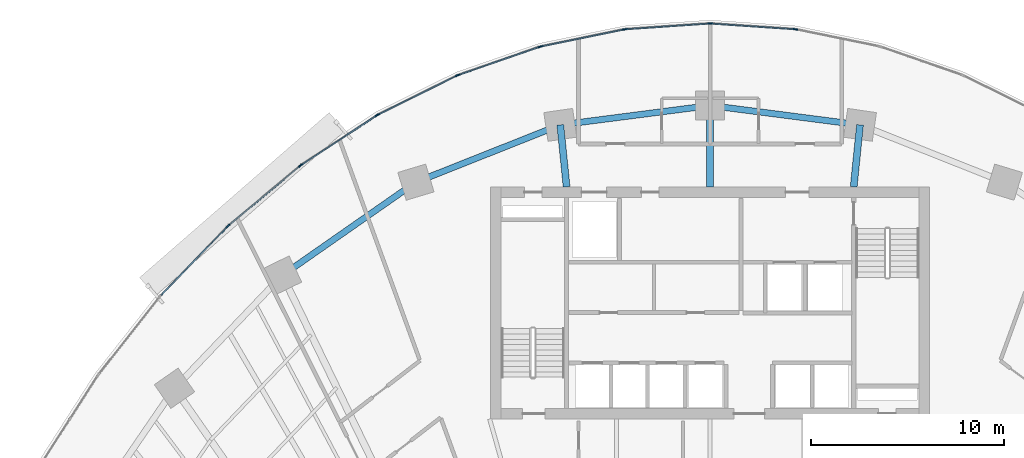
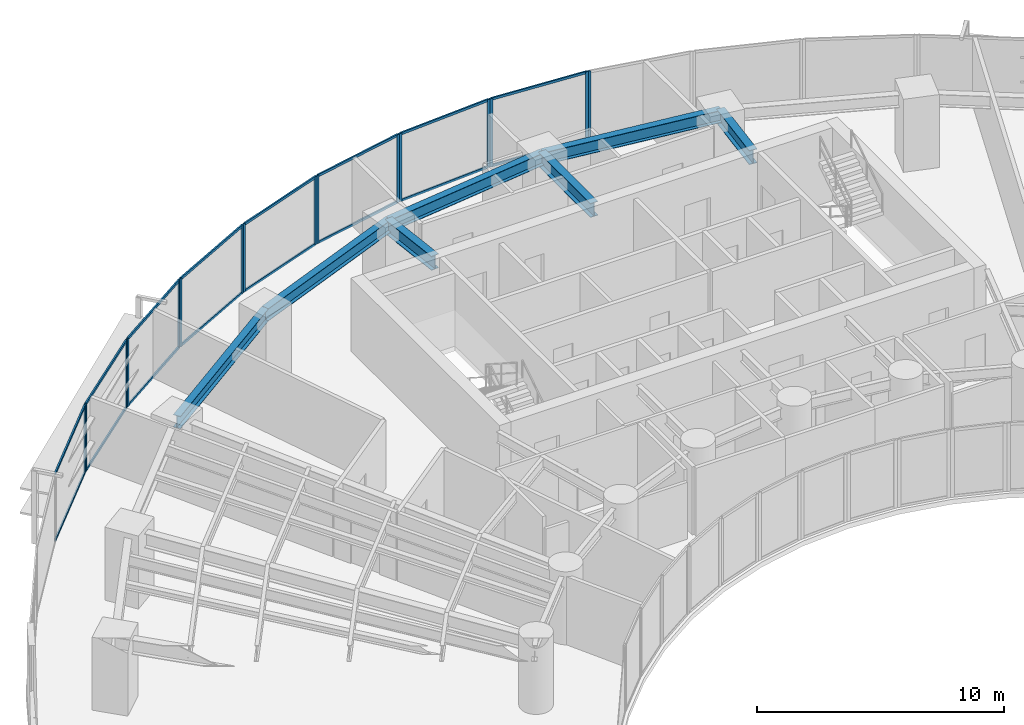
# One storey, part 6 of 17: 32 members, 7 beams, 9 elements without a shape of their own.
"""IFC4 building model written with IfcOpenShell, lengths in metres."""

from ifc_helpers import new_model, si_unit, direction, frame, origin, origin_2d, place, context, subcontext, project, spatial, rectangle, i_section, extrude, source, transform, mapped, material, layer, layer_set, material_profile, profile_set, type_object, type_shapes, element, aggregate, save


model = new_model("IFC4")

# Units and contexts
model_context = context("Model", 3, precision=1e-05, world=origin(), true_north=direction((0.0, 1.0)))
body_context = subcontext(model_context, "Body", "Model", "MODEL_VIEW")
ifc_project = project(units=[si_unit("LENGTHUNIT", "METRE"), si_unit("AREAUNIT", "SQUARE_METRE"), si_unit("VOLUMEUNIT", "CUBIC_METRE"), si_unit("PLANEANGLEUNIT", "RADIAN"), si_unit("MASSUNIT", "GRAM", prefix="KILO")], contexts=[model_context])

# Site, building, storey
site_placement = place(None, origin())
site = spatial("IfcSite", under=ifc_project, at=site_placement, CompositionType="ELEMENT")
building_placement = place(site_placement, origin())
building = spatial("IfcBuilding", under=site, at=building_placement, Name="Breltana Convention Tower", CompositionType="ELEMENT")
storey_placement = place(building_placement, frame((0.0, 0.0, 57.0)))
storey = spatial("IfcBuildingStorey", under=building, at=storey_placement, Name="L12", CompositionType="ELEMENT", Elevation=57.0)

# Beams
ifc_material_1 = material(Name="Steel ASTM A992 Grade 50", Category="steel")
ifc_material_profile_1 = material_profile(ifc_material_1, i_section(OverallWidth=0.323974609375, OverallDepth=0.611083984375, WebThickness=0.0126953125, FlangeThickness=0.01904296875, at=origin_2d()), Name="W24X104")
ifc_profile_set_1 = profile_set([ifc_material_profile_1], Name="Steel ASTM A992 Grade 50")
beam_type_1 = type_object("IfcBeamType", Name="BM-SP-W24X104", PredefinedType="SPANDREL", material=ifc_profile_set_1)
shared_shape_1 = source(origin(), body_context, "Body", "SweptSolid", [
    extrude(i_section(OverallWidth=0.323974609375, OverallDepth=0.611083984375, WebThickness=0.0126953125, FlangeThickness=0.01904296875, at=origin_2d()), origin(), (0.0, 0.0, 1.0), 8.4169921875),
])
beam_1_placement = place(storey_placement, frame((25.8876953125, 67.626953125, 3.054443359375), z_axis=(0.820173800102, 0.572114444519, 0.0), x_axis=(-0.572114444519, 0.820173800102, 0.0)))
element("IfcBeam", 1, at=beam_1_placement, inside=storey, type_object=beam_type_1, Name="L12 Outer Spandrel Beam 03", PredefinedType="SPANDREL", context=body_context, shape_type="MappedRepresentation", body=[
    mapped(shared_shape_1, transform((0.0, 0.0, 0.0), scale=1.0)),
])
shared_shape_2 = source(origin(), body_context, "Body", "SweptSolid", [
    extrude(i_section(OverallWidth=0.323974609375, OverallDepth=0.611083984375, WebThickness=0.0126953125, FlangeThickness=0.01904296875, at=origin_2d()), origin(), (0.0, 0.0, 1.0), 8.028564453125),
])
beam_2_placement = place(storey_placement, frame((32.791015625, 72.4423828125, 3.054443359375), z_axis=(0.929459100394, 0.368925169507, 0.0), x_axis=(-0.368925169507, 0.929459100394, 0.0)))
element("IfcBeam", 2, at=beam_2_placement, inside=storey, type_object=beam_type_1, Name="L12 Outer Spandrel Beam 04", PredefinedType="SPANDREL", context=body_context, shape_type="MappedRepresentation", body=[
    mapped(shared_shape_2, transform((0.0, 0.0, 0.0), scale=1.0)),
])
shared_shape_3 = source(origin(), body_context, "Body", "SweptSolid", [
    extrude(i_section(OverallWidth=0.323974609375, OverallDepth=0.611083984375, WebThickness=0.0126953125, FlangeThickness=0.01904296875, at=origin_2d()), origin(), (0.0, 0.0, 1.0), 7.81103515625),
])
for number, where, z_axis, x_axis, name in (
    (3, (40.253173828125, 75.404296875, 3.054443359375), (0.991775179127, 0.127992164083, 0.0), (-0.127992164083, 0.991775179127, 0.0), "L12 Outer Spandrel Beam 05"),
    (4, (48.0, 76.404052734375, 3.054443359375), (0.991775179127, -0.127992164083, 0.0), (0.127992164083, 0.991775179127, 0.0), "L12 Outer Spandrel Beam 06"),
):
    element("IfcBeam", number, at=place(storey_placement, frame(where, z_axis=z_axis, x_axis=x_axis)), inside=storey, type_object=beam_type_1, Name=name, PredefinedType="SPANDREL", context=body_context, shape_type="MappedRepresentation", body=[
        mapped(shared_shape_3, transform((0.0, 0.0, 0.0), scale=1.0)),
    ])
ifc_material_profile_2 = material_profile(ifc_material_1, i_section(OverallWidth=0.35498046875, OverallDepth=0.696044921875, WebThickness=0.015380859375, FlangeThickness=0.02490234375, at=origin_2d()), Name="W27X146")
ifc_profile_set_2 = profile_set([ifc_material_profile_2], Name="Steel ASTM A992 Grade 50")
beam_type_2 = type_object("IfcBeamType", Name="BM-RG-W27X146", PredefinedType="USERDEFINED", material=ifc_profile_set_2)
shared_shape_4 = source(origin(), body_context, "Body", "SweptSolid", [
    extrude(i_section(OverallWidth=0.35498046875, OverallDepth=0.696044921875, WebThickness=0.015380859375, FlangeThickness=0.02490234375, at=origin_2d()), origin(), (0.0, 0.0, 1.0), 3.220947265625),
])
for number, where, z_axis, x_axis, name in (
    (5, (40.580078125, 72.199951171875, 3.011962890625), (-0.101492254858, 0.994836329355, 0.0), (-0.994836329355, -0.101492254858, 0.0), "L12 North Core Radial Girder R05"),
    (6, (55.419921875, 72.199951171875, 3.011962890625), (0.101492254858, 0.994836329355, 0.0), (-0.994836329355, 0.101492254858, 0.0), "L12 North Core Radial Girder R07"),
):
    element("IfcBeam", number, at=place(storey_placement, frame(where, z_axis=z_axis, x_axis=x_axis)), inside=storey, type_object=beam_type_2, Name=name, ObjectType="GIRDER", PredefinedType="USERDEFINED", context=body_context, shape_type="MappedRepresentation", body=[
        mapped(shared_shape_4, transform((0.0, 0.0, 0.0), scale=1.0)),
    ])
shared_shape_5 = source(origin(), body_context, "Body", "SweptSolid", [
    extrude(i_section(OverallWidth=0.35498046875, OverallDepth=0.696044921875, WebThickness=0.015380859375, FlangeThickness=0.02490234375, at=origin_2d()), origin(), (0.0, 0.0, 1.0), 4.2041015625),
])
beam_3_placement = place(storey_placement, frame((48.0, 72.199951171875, 3.011962890625), z_axis=(0.0, 1.0, 0.0), x_axis=(-1.0, 0.0, 0.0)))
element("IfcBeam", 7, at=beam_3_placement, inside=storey, type_object=beam_type_2, Name="L12 North Core Radial Girder R06", ObjectType="GIRDER", PredefinedType="USERDEFINED", context=body_context, shape_type="MappedRepresentation", body=[
    mapped(shared_shape_5, transform((0.0, 0.0, 0.0), scale=1.0)),
])

# Curtain wall, member
ifc_material_2 = material(Name="Aluminium Anodised Bronze Frame", Category="aluminium")
ifc_layer = layer(ifc_material_2, 0.199951171875, Name="Aluminium Anodised Bronze Frame")
ifc_layer_set = layer_set([ifc_layer], Name="Aluminium Anodised Bronze Frame")
curtain_wall_type = type_object("IfcCurtainWallType", Name="CW-SYS-2", PredefinedType="NOTDEFINED", material=ifc_layer_set)
curtain_wall_1_placement = place(storey_placement, origin())
curtain_wall_1 = element("IfcCurtainWall", 8, at=curtain_wall_1_placement, inside=storey, type_object=curtain_wall_type, Name="L12 outer double-skin inner glazing 3", PredefinedType="NOTDEFINED")
ifc_material_3 = material(Name="Aluminium Anodised Bronze", Category="aluminium")
ifc_material_profile_3 = material_profile(ifc_material_3, rectangle(XDim=0.070068359375, YDim=0.175048828125, at=origin_2d()), Name="CWM-70X175")
ifc_profile_set_3 = profile_set([ifc_material_profile_3], Name="Aluminium Anodised Bronze")
member_type_1 = type_object("IfcMemberType", Name="CWM-175", PredefinedType="MULLION", material=ifc_profile_set_3)
shared_shape_6 = source(origin(), body_context, "Body", "SweptSolid", [
    extrude(rectangle(XDim=0.070068359375, YDim=0.175048828125, at=origin_2d()), origin(), (0.0, 0.0, 1.0), 3.360107421875),
])
type_shapes(member_type_1, [shared_shape_6])
member_1_placement = place(storey_placement, frame((23.044189453125, 70.147705078125, 0.0), z_axis=(0.0, 0.0, 1.0), x_axis=(-0.719386421003, 0.694610090106, 0.0)))
member_1 = element("IfcMember", 9, at=member_1_placement, type_object=member_type_1, Name="CW-02 mullion 2", PredefinedType="MULLION", context=body_context, shape_type="MappedRepresentation", body=[
    mapped(shared_shape_6, transform((0.0, 0.0, 0.0), scale=1.0)),
])

# Curtain wall, members
curtain_wall_2_placement = place(storey_placement, origin())
curtain_wall_2 = element("IfcCurtainWall", 10, at=curtain_wall_2_placement, inside=storey, type_object=curtain_wall_type, Name="L12 outer double-skin inner glazing 4", PredefinedType="NOTDEFINED")
member_2_placement = place(storey_placement, frame((23.09521484375, 70.1953125, 0.0), z_axis=(0.0, 0.0, 1.0), x_axis=(-0.640520193554, 0.767941326958, 0.0)))
member_2 = element("IfcMember", 11, at=member_2_placement, type_object=member_type_1, Name="CW-02 mullion 1", PredefinedType="MULLION", context=body_context, shape_type="MappedRepresentation", body=[
    mapped(shared_shape_6, transform((0.0, 0.0, 0.0), scale=1.0)),
])
member_3_placement = place(storey_placement, frame((26.79736328125, 73.283203125, 0.0), z_axis=(0.0, 0.0, 1.0), x_axis=(-0.640520193554, 0.767941326958, 0.0)))
member_3 = element("IfcMember", 12, at=member_3_placement, type_object=member_type_1, Name="CW-02 mullion 2", PredefinedType="MULLION", context=body_context, shape_type="MappedRepresentation", body=[
    mapped(shared_shape_6, transform((0.0, 0.0, 0.0), scale=1.0)),
])

curtain_wall_3_placement = place(storey_placement, origin())
curtain_wall_3 = element("IfcCurtainWall", 13, at=curtain_wall_3_placement, inside=storey, type_object=curtain_wall_type, Name="L12 outer double-skin inner glazing 5", PredefinedType="NOTDEFINED")
member_4_placement = place(storey_placement, frame((26.853515625, 73.32470703125, 0.0), z_axis=(0.0, 0.0, 1.0), x_axis=(-0.548784255746, 0.83596401875, 0.0)))
member_4 = element("IfcMember", 14, at=member_4_placement, type_object=member_type_1, Name="CW-02 mullion 1", PredefinedType="MULLION", context=body_context, shape_type="MappedRepresentation", body=[
    mapped(shared_shape_6, transform((0.0, 0.0, 0.0), scale=1.0)),
])
member_5_placement = place(storey_placement, frame((30.766357421875, 75.8935546875, 0.0), z_axis=(0.0, 0.0, 1.0), x_axis=(-0.548784255746, 0.83596401875, 0.0)))
member_5 = element("IfcMember", 15, at=member_5_placement, type_object=member_type_1, Name="CW-02 mullion 2", PredefinedType="MULLION", context=body_context, shape_type="MappedRepresentation", body=[
    mapped(shared_shape_6, transform((0.0, 0.0, 0.0), scale=1.0)),
])

curtain_wall_4_placement = place(storey_placement, origin())
curtain_wall_4 = element("IfcCurtainWall", 16, at=curtain_wall_4_placement, inside=storey, type_object=curtain_wall_type, Name="L12 outer double-skin inner glazing 6", PredefinedType="NOTDEFINED")
member_6_placement = place(storey_placement, frame((30.8271484375, 75.92822265625, 0.0), z_axis=(0.0, 0.0, 1.0), x_axis=(-0.444107703726, 0.895973407804, 0.0)))
member_6 = element("IfcMember", 17, at=member_6_placement, type_object=member_type_1, Name="CW-02 mullion 1", PredefinedType="MULLION", context=body_context, shape_type="MappedRepresentation", body=[
    mapped(shared_shape_6, transform((0.0, 0.0, 0.0), scale=1.0)),
])
member_7_placement = place(storey_placement, frame((34.910400390625, 77.9521484375, 0.0), z_axis=(0.0, 0.0, 1.0), x_axis=(-0.444107703726, 0.895973407804, 0.0)))
member_7 = element("IfcMember", 18, at=member_7_placement, type_object=member_type_1, Name="CW-02 mullion 2", PredefinedType="MULLION", context=body_context, shape_type="MappedRepresentation", body=[
    mapped(shared_shape_6, transform((0.0, 0.0, 0.0), scale=1.0)),
])

curtain_wall_5_placement = place(storey_placement, origin())
curtain_wall_5 = element("IfcCurtainWall", 19, at=curtain_wall_5_placement, inside=storey, type_object=curtain_wall_type, Name="L12 outer double-skin inner glazing 7", PredefinedType="NOTDEFINED")
member_8_placement = place(storey_placement, frame((34.974853515625, 77.979248046875, 0.0), z_axis=(0.0, 0.0, 1.0), x_axis=(-0.32742834581, 0.944876012163, 0.0)))
member_8 = element("IfcMember", 20, at=member_8_placement, type_object=member_type_1, Name="CW-02 mullion 1", PredefinedType="MULLION", context=body_context, shape_type="MappedRepresentation", body=[
    mapped(shared_shape_6, transform((0.0, 0.0, 0.0), scale=1.0)),
])
member_9_placement = place(storey_placement, frame((39.1875, 79.43896484375, 0.0), z_axis=(0.0, 0.0, 1.0), x_axis=(-0.32742834581, 0.944876012163, 0.0)))
member_9 = element("IfcMember", 21, at=member_9_placement, type_object=member_type_1, Name="CW-02 mullion 2", PredefinedType="MULLION", context=body_context, shape_type="MappedRepresentation", body=[
    mapped(shared_shape_6, transform((0.0, 0.0, 0.0), scale=1.0)),
])

curtain_wall_6_placement = place(storey_placement, origin())
curtain_wall_6 = element("IfcCurtainWall", 22, at=curtain_wall_6_placement, inside=storey, type_object=curtain_wall_type, Name="L12 outer double-skin inner glazing 8", PredefinedType="NOTDEFINED")
member_10_placement = place(storey_placement, frame((39.2548828125, 79.45751953125, 0.0), z_axis=(0.0, 0.0, 1.0), x_axis=(-0.200884537139, 0.979614925743, 0.0)))
member_10 = element("IfcMember", 23, at=member_10_placement, type_object=member_type_1, Name="CW-02 mullion 1", PredefinedType="MULLION", context=body_context, shape_type="MappedRepresentation", body=[
    mapped(shared_shape_6, transform((0.0, 0.0, 0.0), scale=1.0)),
])
member_11_placement = place(storey_placement, frame((43.5537109375, 80.339111328125, 0.0), z_axis=(0.0, 0.0, 1.0), x_axis=(-0.200884537139, 0.979614925743, 0.0)))
member_11 = element("IfcMember", 24, at=member_11_placement, type_object=member_type_1, Name="CW-02 mullion 2", PredefinedType="MULLION", context=body_context, shape_type="MappedRepresentation", body=[
    mapped(shared_shape_6, transform((0.0, 0.0, 0.0), scale=1.0)),
])

curtain_wall_7_placement = place(storey_placement, origin())
curtain_wall_7 = element("IfcCurtainWall", 25, at=curtain_wall_7_placement, inside=storey, type_object=curtain_wall_type, Name="L12 outer double-skin inner glazing 9", PredefinedType="NOTDEFINED")
member_12_placement = place(storey_placement, frame((43.622802734375, 80.348388671875, 0.0), z_axis=(0.0, 0.0, 1.0), x_axis=(-0.067725650529, 0.997703982282, 0.0)))
member_12 = element("IfcMember", 26, at=member_12_placement, type_object=member_type_1, Name="CW-02 mullion 1", PredefinedType="MULLION", context=body_context, shape_type="MappedRepresentation", body=[
    mapped(shared_shape_6, transform((0.0, 0.0, 0.0), scale=1.0)),
])
member_13_placement = place(storey_placement, frame((47.965087890625, 80.643310546875, 0.0), z_axis=(0.0, 0.0, 1.0), x_axis=(-0.067725650529, 0.997703982282, 0.0)))
member_13 = element("IfcMember", 27, at=member_13_placement, type_object=member_type_1, Name="CW-02 mullion 2", PredefinedType="MULLION", context=body_context, shape_type="MappedRepresentation", body=[
    mapped(shared_shape_6, transform((0.0, 0.0, 0.0), scale=1.0)),
])

curtain_wall_8_placement = place(storey_placement, origin())
curtain_wall_8 = element("IfcCurtainWall", 28, at=curtain_wall_8_placement, inside=storey, type_object=curtain_wall_type, Name="L12 outer double-skin inner glazing 10", PredefinedType="NOTDEFINED")
member_14_placement = place(storey_placement, frame((48.034912109375, 80.643310546875, 0.0), z_axis=(0.0, 0.0, 1.0), x_axis=(0.067725650529, 0.997703982282, 0.0)))
member_14 = element("IfcMember", 29, at=member_14_placement, type_object=member_type_1, Name="CW-02 mullion 1", PredefinedType="MULLION", context=body_context, shape_type="MappedRepresentation", body=[
    mapped(shared_shape_6, transform((0.0, 0.0, 0.0), scale=1.0)),
])
member_15_placement = place(storey_placement, frame((52.377197265625, 80.348388671875, 0.0), z_axis=(0.0, 0.0, 1.0), x_axis=(0.067725650529, 0.997703982282, 0.0)))
member_15 = element("IfcMember", 30, at=member_15_placement, type_object=member_type_1, Name="CW-02 mullion 2", PredefinedType="MULLION", context=body_context, shape_type="MappedRepresentation", body=[
    mapped(shared_shape_6, transform((0.0, 0.0, 0.0), scale=1.0)),
])

# Curtain wall, member
curtain_wall_9_placement = place(storey_placement, origin())
curtain_wall_9 = element("IfcCurtainWall", 31, at=curtain_wall_9_placement, inside=storey, type_object=curtain_wall_type, Name="L12 outer double-skin inner glazing 11", PredefinedType="NOTDEFINED")
member_16_placement = place(storey_placement, frame((52.4462890625, 80.339111328125, 0.0), z_axis=(0.0, 0.0, 1.0), x_axis=(0.200884537139, 0.979614925743, 0.0)))
member_16 = element("IfcMember", 32, at=member_16_placement, type_object=member_type_1, Name="CW-02 mullion 1", PredefinedType="MULLION", context=body_context, shape_type="MappedRepresentation", body=[
    mapped(shared_shape_6, transform((0.0, 0.0, 0.0), scale=1.0)),
])
aggregate(curtain_wall_9, [member_16])

# Member
ifc_material_profile_4 = material_profile(ifc_material_3, rectangle(XDim=0.070068359375, YDim=0.1201171875, at=origin_2d()), Name="CWT-70X120")
ifc_profile_set_4 = profile_set([ifc_material_profile_4], Name="Aluminium Anodised Bronze")
member_type_2 = type_object("IfcMemberType", Name="CWT-120", PredefinedType="USERDEFINED", material=ifc_profile_set_4)
shared_shape_7 = source(origin(), body_context, "Body", "SweptSolid", [
    extrude(rectangle(XDim=0.070068359375, YDim=0.1201171875, at=origin_2d()), origin(), (0.0, 0.0, 1.0), 4.901123046875),
])
member_17_placement = place(storey_placement, frame((19.615478515625, 66.5966796875, 0.034912109375), z_axis=(0.6945945137, 0.719401460617, 0.0), x_axis=(-0.719401460617, 0.6945945137, 0.0)))
member_17 = element("IfcMember", 33, at=member_17_placement, type_object=member_type_2, Name="CW-02 transom 1.1", ObjectType="TRANSOM", PredefinedType="USERDEFINED", context=body_context, shape_type="MappedRepresentation", body=[
    mapped(shared_shape_7, transform((0.0, 0.0, 0.0), scale=1.0)),
])

member_18_placement = place(storey_placement, frame((19.615478515625, 66.5966796875, 3.324951171875), z_axis=(0.6945945137, 0.719401460617, 0.0), x_axis=(-0.719401460617, 0.6945945137, 0.0)))
member_18 = element("IfcMember", 34, at=member_18_placement, type_object=member_type_2, Name="CW-02 transom 1.2", ObjectType="TRANSOM", PredefinedType="USERDEFINED", context=body_context, shape_type="MappedRepresentation", body=[
    mapped(shared_shape_7, transform((0.0, 0.0, 0.0), scale=1.0)),
])

aggregate(curtain_wall_1, [member_1, member_17, member_18])

shared_shape_8 = source(origin(), body_context, "Body", "SweptSolid", [
    extrude(rectangle(XDim=0.070068359375, YDim=0.1201171875, at=origin_2d()), origin(), (0.0, 0.0, 1.0), 4.7509765625),
])
member_19_placement = place(storey_placement, frame((23.1220703125, 70.2177734375, 0.034912109375), z_axis=(0.767951631807, 0.64050783852, 0.0), x_axis=(-0.64050783852, 0.767951631807, 0.0)))
member_19 = element("IfcMember", 35, at=member_19_placement, type_object=member_type_2, Name="CW-02 transom 1.1", ObjectType="TRANSOM", PredefinedType="USERDEFINED", context=body_context, shape_type="MappedRepresentation", body=[
    mapped(shared_shape_8, transform((0.0, 0.0, 0.0), scale=1.0)),
])

member_20_placement = place(storey_placement, frame((23.1220703125, 70.2177734375, 3.324951171875), z_axis=(0.767951631807, 0.64050783852, 0.0), x_axis=(-0.64050783852, 0.767951631807, 0.0)))
member_20 = element("IfcMember", 36, at=member_20_placement, type_object=member_type_2, Name="CW-02 transom 1.2", ObjectType="TRANSOM", PredefinedType="USERDEFINED", context=body_context, shape_type="MappedRepresentation", body=[
    mapped(shared_shape_8, transform((0.0, 0.0, 0.0), scale=1.0)),
])

aggregate(curtain_wall_2, [member_2, member_3, member_19, member_20])

shared_shape_9 = source(origin(), body_context, "Body", "SweptSolid", [
    extrude(rectangle(XDim=0.070068359375, YDim=0.1201171875, at=origin_2d()), origin(), (0.0, 0.0, 1.0), 4.610595703125),
])
member_21_placement = place(storey_placement, frame((26.8828125, 73.343994140625, 0.034912109375), z_axis=(0.835956055104, 0.54879638659, 0.0), x_axis=(-0.54879638659, 0.835956055104, 0.0)))
member_21 = element("IfcMember", 37, at=member_21_placement, type_object=member_type_2, Name="CW-02 transom 1.1", ObjectType="TRANSOM", PredefinedType="USERDEFINED", context=body_context, shape_type="MappedRepresentation", body=[
    mapped(shared_shape_9, transform((0.0, 0.0, 0.0), scale=1.0)),
])

member_22_placement = place(storey_placement, frame((26.8828125, 73.343994140625, 3.324951171875), z_axis=(0.835956055104, 0.54879638659, 0.0), x_axis=(-0.54879638659, 0.835956055104, 0.0)))
member_22 = element("IfcMember", 38, at=member_22_placement, type_object=member_type_2, Name="CW-02 transom 1.2", ObjectType="TRANSOM", PredefinedType="USERDEFINED", context=body_context, shape_type="MappedRepresentation", body=[
    mapped(shared_shape_9, transform((0.0, 0.0, 0.0), scale=1.0)),
])

aggregate(curtain_wall_3, [member_4, member_5, member_21, member_22])

shared_shape_10 = source(origin(), body_context, "Body", "SweptSolid", [
    extrude(rectangle(XDim=0.070068359375, YDim=0.1201171875, at=origin_2d()), origin(), (0.0, 0.0, 1.0), 4.487548828125),
])
member_23_placement = place(storey_placement, frame((30.8583984375, 75.94384765625, 0.034912109375), z_axis=(0.895977728863, 0.444098986017, 0.0), x_axis=(-0.444098986017, 0.895977728863, 0.0)))
member_23 = element("IfcMember", 39, at=member_23_placement, type_object=member_type_2, Name="CW-02 transom 1.1", ObjectType="TRANSOM", PredefinedType="USERDEFINED", context=body_context, shape_type="MappedRepresentation", body=[
    mapped(shared_shape_10, transform((0.0, 0.0, 0.0), scale=1.0)),
])

member_24_placement = place(storey_placement, frame((30.8583984375, 75.94384765625, 3.324951171875), z_axis=(0.895977728863, 0.444098986017, 0.0), x_axis=(-0.444098986017, 0.895977728863, 0.0)))
member_24 = element("IfcMember", 40, at=member_24_placement, type_object=member_type_2, Name="CW-02 transom 1.2", ObjectType="TRANSOM", PredefinedType="USERDEFINED", context=body_context, shape_type="MappedRepresentation", body=[
    mapped(shared_shape_10, transform((0.0, 0.0, 0.0), scale=1.0)),
])

aggregate(curtain_wall_4, [member_6, member_7, member_23, member_24])

shared_shape_11 = source(origin(), body_context, "Body", "SweptSolid", [
    extrude(rectangle(XDim=0.070068359375, YDim=0.1201171875, at=origin_2d()), origin(), (0.0, 0.0, 1.0), 4.38818359375),
])
member_25_placement = place(storey_placement, frame((35.008056640625, 77.99072265625, 0.034912109375), z_axis=(0.944878203019, 0.32742202348, 0.0), x_axis=(-0.32742202348, 0.944878203019, 0.0)))
member_25 = element("IfcMember", 41, at=member_25_placement, type_object=member_type_2, Name="CW-02 transom 1.1", ObjectType="TRANSOM", PredefinedType="USERDEFINED", context=body_context, shape_type="MappedRepresentation", body=[
    mapped(shared_shape_11, transform((0.0, 0.0, 0.0), scale=1.0)),
])

member_26_placement = place(storey_placement, frame((35.008056640625, 77.99072265625, 3.324951171875), z_axis=(0.944878203019, 0.32742202348, 0.0), x_axis=(-0.32742202348, 0.944878203019, 0.0)))
member_26 = element("IfcMember", 42, at=member_26_placement, type_object=member_type_2, Name="CW-02 transom 1.2", ObjectType="TRANSOM", PredefinedType="USERDEFINED", context=body_context, shape_type="MappedRepresentation", body=[
    mapped(shared_shape_11, transform((0.0, 0.0, 0.0), scale=1.0)),
])

aggregate(curtain_wall_5, [member_8, member_9, member_25, member_26])

shared_shape_12 = source(origin(), body_context, "Body", "SweptSolid", [
    extrude(rectangle(XDim=0.070068359375, YDim=0.1201171875, at=origin_2d()), origin(), (0.0, 0.0, 1.0), 4.318359375),
])
member_27_placement = place(storey_placement, frame((39.2890625, 79.464599609375, 0.034912109375), z_axis=(0.979616680923, 0.200875977799, 0.0), x_axis=(-0.200875977799, 0.979616680923, 0.0)))
member_27 = element("IfcMember", 43, at=member_27_placement, type_object=member_type_2, Name="CW-02 transom 1.1", ObjectType="TRANSOM", PredefinedType="USERDEFINED", context=body_context, shape_type="MappedRepresentation", body=[
    mapped(shared_shape_12, transform((0.0, 0.0, 0.0), scale=1.0)),
])

member_28_placement = place(storey_placement, frame((39.2890625, 79.464599609375, 3.324951171875), z_axis=(0.979616680923, 0.200875977799, 0.0), x_axis=(-0.200875977799, 0.979616680923, 0.0)))
member_28 = element("IfcMember", 44, at=member_28_placement, type_object=member_type_2, Name="CW-02 transom 1.2", ObjectType="TRANSOM", PredefinedType="USERDEFINED", context=body_context, shape_type="MappedRepresentation", body=[
    mapped(shared_shape_12, transform((0.0, 0.0, 0.0), scale=1.0)),
])

aggregate(curtain_wall_6, [member_10, member_11, member_27, member_28])

shared_shape_13 = source(origin(), body_context, "Body", "SweptSolid", [
    extrude(rectangle(XDim=0.070068359375, YDim=0.1201171875, at=origin_2d()), origin(), (0.0, 0.0, 1.0), 4.2822265625),
])
member_29_placement = place(storey_placement, frame((43.65771484375, 80.350830078125, 0.034912109375), z_axis=(0.997703698684, 0.067729828231, 0.0), x_axis=(-0.067729828231, 0.997703698684, 0.0)))
member_29 = element("IfcMember", 45, at=member_29_placement, type_object=member_type_2, Name="CW-02 transom 1.1", ObjectType="TRANSOM", PredefinedType="USERDEFINED", context=body_context, shape_type="MappedRepresentation", body=[
    mapped(shared_shape_13, transform((0.0, 0.0, 0.0), scale=1.0)),
])

member_30_placement = place(storey_placement, frame((43.65771484375, 80.350830078125, 3.324951171875), z_axis=(0.997703698684, 0.067729828231, 0.0), x_axis=(-0.067729828231, 0.997703698684, 0.0)))
member_30 = element("IfcMember", 46, at=member_30_placement, type_object=member_type_2, Name="CW-02 transom 1.2", ObjectType="TRANSOM", PredefinedType="USERDEFINED", context=body_context, shape_type="MappedRepresentation", body=[
    mapped(shared_shape_13, transform((0.0, 0.0, 0.0), scale=1.0)),
])

aggregate(curtain_wall_7, [member_12, member_13, member_29, member_30])

member_31_placement = place(storey_placement, frame((48.06982421875, 80.640869140625, 0.034912109375), z_axis=(0.997703698684, -0.067729828231, 0.0), x_axis=(0.067729828231, 0.997703698684, 0.0)))
member_31 = element("IfcMember", 47, at=member_31_placement, type_object=member_type_2, Name="CW-02 transom 1.1", ObjectType="TRANSOM", PredefinedType="USERDEFINED", context=body_context, shape_type="MappedRepresentation", body=[
    mapped(shared_shape_13, transform((0.0, 0.0, 0.0), scale=1.0)),
])

member_32_placement = place(storey_placement, frame((48.06982421875, 80.640869140625, 3.324951171875), z_axis=(0.997703698684, -0.067729828231, 0.0), x_axis=(0.067729828231, 0.997703698684, 0.0)))
member_32 = element("IfcMember", 48, at=member_32_placement, type_object=member_type_2, Name="CW-02 transom 1.2", ObjectType="TRANSOM", PredefinedType="USERDEFINED", context=body_context, shape_type="MappedRepresentation", body=[
    mapped(shared_shape_13, transform((0.0, 0.0, 0.0), scale=1.0)),
])

aggregate(curtain_wall_8, [member_14, member_15, member_31, member_32])

save(model, "model.ifc")
